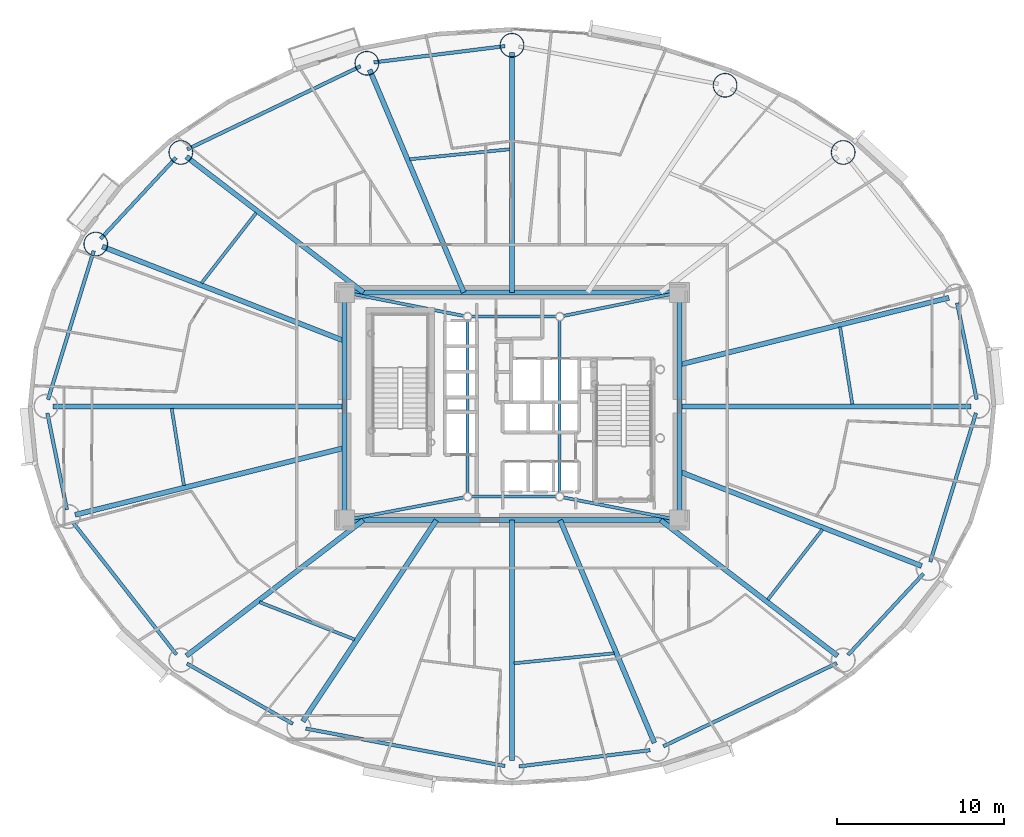
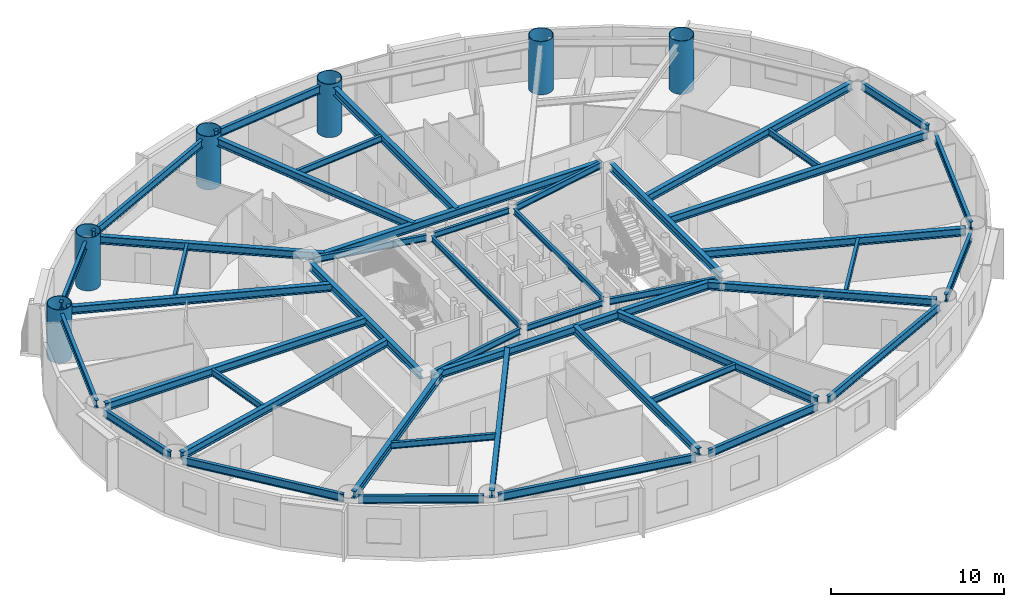
# One storey, part 3 of 19: 46 beams, 6 columns.
"""IFC4 building model written with IfcOpenShell, lengths in metres."""

from ifc_helpers import new_model, si_unit, direction, frame, origin, origin_2d, place, context, subcontext, project, spatial, hollow_circle, i_section, extrude, material, material_profile, profile_set, type_object, element, save


model = new_model("IFC4")

# Units and contexts
model_context = context("Model", 3, precision=1e-05, world=origin(), true_north=direction((0.0, 1.0)))
body_context = subcontext(model_context, "Body", "Model", "MODEL_VIEW")
ifc_project = project(units=[si_unit("LENGTHUNIT", "METRE"), si_unit("AREAUNIT", "SQUARE_METRE"), si_unit("VOLUMEUNIT", "CUBIC_METRE"), si_unit("PLANEANGLEUNIT", "RADIAN"), si_unit("MASSUNIT", "GRAM", prefix="KILO")], contexts=[model_context])

# Site, building, storey
site_placement = place(None, origin())
site = spatial("IfcSite", under=ifc_project, at=site_placement, CompositionType="ELEMENT")
building_placement = place(site_placement, origin())
building = spatial("IfcBuilding", under=site, at=building_placement, Name="Linh Dai School and Residence Tower", CompositionType="ELEMENT")
storey_placement = place(building_placement, frame((0.0, 0.0, 119.699951171875)))
storey = spatial("IfcBuildingStorey", under=building, at=storey_placement, Name="L28", CompositionType="ELEMENT", Elevation=119.699951171875)

# Columns
ifc_material = material(Name="Structural Steel S355JR", Category="steel")
ifc_material_profile_1 = material_profile(ifc_material, hollow_circle(Radius=0.72509765625, WallThickness=0.0419921875, at=origin_2d()), Name="CHS 1450x42")
ifc_profile_set_1 = profile_set([ifc_material_profile_1], Name="Structural Steel S355JR")
column_type = type_object("IfcColumnType", Name="COL-MC3", PredefinedType="COLUMN", material=ifc_profile_set_1)
for number, where, z_axis, x_axis, name in (
    (1, (55.772705078125, 42.155517578125, 0.0), (0.0, 0.0, 1.0), (1.0, 0.0, 0.0), "L28 Perimeter CFT Mega-Column MC03"),
    (2, (48.721923828125, 46.1650390625, 0.0), (0.0, 0.0, 1.0), (1.0, 0.0, 0.0), "L28 Perimeter CFT Mega-Column MC04"),
    (3, (36.0, 48.554931640625, 0.0), (0.0, 0.0, 1.0), (1.0, 0.0, 0.0), "L28 Perimeter CFT Mega-Column MC05"),
    (4, (27.33447265625, 47.480712890625, 0.0), (0.0, 0.0, 1.0), (1.0, 0.0, 0.0), "L28 Perimeter CFT Mega-Column MC06"),
    (5, (16.227294921875, 42.155517578125, 0.0), (0.0, 0.0, 1.0), (1.0, 0.0, 0.0), "L28 Perimeter CFT Mega-Column MC07"),
    (6, (11.15087890625, 36.6875, 0.0), (0.0, 0.0, 1.0), (1.0, 0.0, 0.0), "L28 Perimeter CFT Mega-Column MC08"),
):
    element("IfcColumn", number, at=place(storey_placement, frame(where, z_axis=z_axis, x_axis=x_axis)), inside=storey, type_object=column_type, Name=name, PredefinedType="COLUMN", context=body_context, shape_type="SweptSolid", body=[
        extrude(hollow_circle(Radius=0.72509765625, WallThickness=0.0419921875, at=origin_2d()), origin(), (0.0, 0.0, 1.0), 3.75),
    ])

# Beams
ifc_material_profile_2 = material_profile(ifc_material, i_section(OverallWidth=0.2099609375, OverallDepth=0.550048828125, WebThickness=0.010986328125, FlangeThickness=0.01708984375, FilletRadius=0.02392578125, at=origin_2d()), Name="IPE 550")
ifc_profile_set_2 = profile_set([ifc_material_profile_2], Name="Structural Steel S355JR")
beam_type_1 = type_object("IfcBeamType", Name="BM-RB55", PredefinedType="BEAM", material=ifc_profile_set_2)
beam_1_placement = place(storey_placement, frame((63.74169921875, 27.41162109375, 3.22509765625), z_axis=(-0.198441254313, 0.980112783605, 0.0), x_axis=(-0.980112783605, -0.198441254313, 0.0)))
element("IfcBeam", 7, at=beam_1_placement, inside=storey, type_object=beam_type_1, Name="L28 Perimeter Elliptical Ring Beam 01", PredefinedType="BEAM", context=body_context, shape_type="SweptSolid", body=[
    extrude(i_section(OverallWidth=0.2099609375, OverallDepth=0.550048828125, WebThickness=0.010986328125, FlangeThickness=0.01708984375, FilletRadius=0.02392578125, at=origin_2d()), origin(), (0.0, 0.0, 1.0), 5.874755859375),
])
beam_2_placement = place(storey_placement, frame((35.583251953125, 48.50341796875, 3.22509765625), z_axis=(-0.992399234854, -0.123059979933, 0.0), x_axis=(0.123059979933, -0.992399234854, 0.0)))
element("IfcBeam", 8, at=beam_2_placement, inside=storey, type_object=beam_type_1, Name="L28 Perimeter Elliptical Ring Beam 05", PredefinedType="BEAM", context=body_context, shape_type="SweptSolid", body=[
    extrude(i_section(OverallWidth=0.2099609375, OverallDepth=0.550048828125, WebThickness=0.010986328125, FlangeThickness=0.01708984375, FilletRadius=0.02392578125, at=origin_2d()), origin(), (0.0, 0.0, 1.0), 7.89208984375),
])
beam_3_placement = place(storey_placement, frame((26.955810546875, 47.299072265625, 3.22509765625), z_axis=(-0.901715153312, -0.432330640005, 0.0), x_axis=(0.432330640005, -0.901715153312, 0.0)))
element("IfcBeam", 9, at=beam_3_placement, inside=storey, type_object=beam_type_1, Name="L28 Perimeter Elliptical Ring Beam 06", PredefinedType="BEAM", context=body_context, shape_type="SweptSolid", body=[
    extrude(i_section(OverallWidth=0.2099609375, OverallDepth=0.550048828125, WebThickness=0.010986328125, FlangeThickness=0.01708984375, FilletRadius=0.02392578125, at=origin_2d()), origin(), (0.0, 0.0, 1.0), 11.477783203125),
])
beam_4_placement = place(storey_placement, frame((15.941650390625, 41.84765625, 3.22509765625), z_axis=(-0.680384623752, -0.732855213369, 0.0), x_axis=(0.732855213369, -0.680384623752, 0.0)))
element("IfcBeam", 10, at=beam_4_placement, inside=storey, type_object=beam_type_1, Name="L28 Perimeter Elliptical Ring Beam 07", PredefinedType="BEAM", context=body_context, shape_type="SweptSolid", body=[
    extrude(i_section(OverallWidth=0.2099609375, OverallDepth=0.550048828125, WebThickness=0.010986328125, FlangeThickness=0.01708984375, FilletRadius=0.02392578125, at=origin_2d()), origin(), (0.0, 0.0, 1.0), 6.62109375),
])
beam_5_placement = place(storey_placement, frame((11.027587890625, 36.2861328125, 3.22509765625), z_axis=(-0.29364097848, -0.95591577859, 0.0), x_axis=(0.95591577859, -0.29364097848, 0.0)))
element("IfcBeam", 11, at=beam_5_placement, inside=storey, type_object=beam_type_1, Name="L28 Perimeter Elliptical Ring Beam 08", PredefinedType="BEAM", context=body_context, shape_type="SweptSolid", body=[
    extrude(i_section(OverallWidth=0.2099609375, OverallDepth=0.550048828125, WebThickness=0.010986328125, FlangeThickness=0.01708984375, FilletRadius=0.02392578125, at=origin_2d()), origin(), (0.0, 0.0, 1.0), 9.29443359375),
])
beam_6_placement = place(storey_placement, frame((8.25830078125, 26.58837890625, 3.22509765625), z_axis=(0.198441254313, -0.980112783605, 0.0), x_axis=(0.980112783605, 0.198441254313, 0.0)))
element("IfcBeam", 12, at=beam_6_placement, inside=storey, type_object=beam_type_1, Name="L28 Perimeter Elliptical Ring Beam 09", PredefinedType="BEAM", context=body_context, shape_type="SweptSolid", body=[
    extrude(i_section(OverallWidth=0.2099609375, OverallDepth=0.550048828125, WebThickness=0.010986328125, FlangeThickness=0.01708984375, FilletRadius=0.02392578125, at=origin_2d()), origin(), (0.0, 0.0, 1.0), 5.874755859375),
])
beam_7_placement = place(storey_placement, frame((9.766357421875, 20.08837890625, 3.22509765625), z_axis=(0.616854830973, -0.787076945098, 0.0), x_axis=(0.787076945098, 0.616854830973, 0.0)))
element("IfcBeam", 13, at=beam_7_placement, inside=storey, type_object=beam_type_1, Name="L28 Perimeter Elliptical Ring Beam 10", PredefinedType="BEAM", context=body_context, shape_type="SweptSolid", body=[
    extrude(i_section(OverallWidth=0.2099609375, OverallDepth=0.550048828125, WebThickness=0.010986328125, FlangeThickness=0.01708984375, FilletRadius=0.02392578125, at=origin_2d()), origin(), (0.0, 0.0, 1.0), 10.053955078125),
])
beam_8_placement = place(storey_placement, frame((16.592529296875, 11.636962890625, 3.22509765625), z_axis=(0.86927031475, -0.494337050902, 0.0), x_axis=(0.494337050902, 0.86927031475, 0.0)))
element("IfcBeam", 14, at=beam_8_placement, inside=storey, type_object=beam_type_1, Name="L28 Perimeter Elliptical Ring Beam 11", PredefinedType="BEAM", context=body_context, shape_type="SweptSolid", body=[
    extrude(i_section(OverallWidth=0.2099609375, OverallDepth=0.550048828125, WebThickness=0.010986328125, FlangeThickness=0.01708984375, FilletRadius=0.02392578125, at=origin_2d()), origin(), (0.0, 0.0, 1.0), 7.270751953125),
])
beam_9_placement = place(storey_placement, frame((23.69091796875, 7.75732421875, 3.22509765625), z_axis=(0.982807507457, -0.184633158685, 0.0), x_axis=(0.184633158685, 0.982807507457, 0.0)))
element("IfcBeam", 15, at=beam_9_placement, inside=storey, type_object=beam_type_1, Name="L28 Perimeter Elliptical Ring Beam 12", PredefinedType="BEAM", context=body_context, shape_type="SweptSolid", body=[
    extrude(i_section(OverallWidth=0.2099609375, OverallDepth=0.550048828125, WebThickness=0.010986328125, FlangeThickness=0.01708984375, FilletRadius=0.02392578125, at=origin_2d()), origin(), (0.0, 0.0, 1.0), 12.104248046875),
])
beam_10_placement = place(storey_placement, frame((36.416748046875, 5.49658203125, 3.22509765625), z_axis=(0.992399234854, 0.123059979933, 0.0), x_axis=(-0.123059979933, 0.992399234854, 0.0)))
element("IfcBeam", 16, at=beam_10_placement, inside=storey, type_object=beam_type_1, Name="L28 Perimeter Elliptical Ring Beam 13", PredefinedType="BEAM", context=body_context, shape_type="SweptSolid", body=[
    extrude(i_section(OverallWidth=0.2099609375, OverallDepth=0.550048828125, WebThickness=0.010986328125, FlangeThickness=0.01708984375, FilletRadius=0.02392578125, at=origin_2d()), origin(), (0.0, 0.0, 1.0), 7.89208984375),
])
beam_11_placement = place(storey_placement, frame((45.044189453125, 6.700927734375, 3.22509765625), z_axis=(0.901715153312, 0.432330640005, 0.0), x_axis=(-0.432330640005, 0.901715153312, 0.0)))
element("IfcBeam", 17, at=beam_11_placement, inside=storey, type_object=beam_type_1, Name="L28 Perimeter Elliptical Ring Beam 14", PredefinedType="BEAM", context=body_context, shape_type="SweptSolid", body=[
    extrude(i_section(OverallWidth=0.2099609375, OverallDepth=0.550048828125, WebThickness=0.010986328125, FlangeThickness=0.01708984375, FilletRadius=0.02392578125, at=origin_2d()), origin(), (0.0, 0.0, 1.0), 11.477783203125),
])
beam_12_placement = place(storey_placement, frame((56.058349609375, 12.15234375, 3.22509765625), z_axis=(0.680384623752, 0.732855213369, 0.0), x_axis=(-0.732855213369, 0.680384623752, 0.0)))
element("IfcBeam", 18, at=beam_12_placement, inside=storey, type_object=beam_type_1, Name="L28 Perimeter Elliptical Ring Beam 15", PredefinedType="BEAM", context=body_context, shape_type="SweptSolid", body=[
    extrude(i_section(OverallWidth=0.2099609375, OverallDepth=0.550048828125, WebThickness=0.010986328125, FlangeThickness=0.01708984375, FilletRadius=0.02392578125, at=origin_2d()), origin(), (0.0, 0.0, 1.0), 6.62109375),
])
beam_13_placement = place(storey_placement, frame((60.972412109375, 17.7138671875, 3.22509765625), z_axis=(0.29364097848, 0.95591577859, 0.0), x_axis=(-0.95591577859, 0.29364097848, 0.0)))
element("IfcBeam", 19, at=beam_13_placement, inside=storey, type_object=beam_type_1, Name="L28 Perimeter Elliptical Ring Beam 16", PredefinedType="BEAM", context=body_context, shape_type="SweptSolid", body=[
    extrude(i_section(OverallWidth=0.2099609375, OverallDepth=0.550048828125, WebThickness=0.010986328125, FlangeThickness=0.01708984375, FilletRadius=0.02392578125, at=origin_2d()), origin(), (0.0, 0.0, 1.0), 9.29443359375),
])
ifc_material_profile_3 = material_profile(ifc_material, i_section(OverallWidth=0.300048828125, OverallDepth=0.550048828125, WebThickness=0.014892578125, FlangeThickness=0.029052734375, FilletRadius=0.027099609375, at=origin_2d()), Name="HEB 550")
ifc_profile_set_3 = profile_set([ifc_material_profile_3], Name="Structural Steel S355JR")
beam_type_2 = type_object("IfcBeamType", Name="BM-RG55", PredefinedType="BEAM", material=ifc_profile_set_3)
beam_14_placement = place(storey_placement, frame((26.419921875, 20.199951171875, 3.22509765625), z_axis=(1.0, 0.0, 0.0), x_axis=(0.0, 1.0, 0.0)))
element("IfcBeam", 20, at=beam_14_placement, inside=storey, type_object=beam_type_2, Name="L28 Core Perimeter Coupling Girder 1", PredefinedType="BEAM", context=body_context, shape_type="SweptSolid", body=[
    extrude(i_section(OverallWidth=0.300048828125, OverallDepth=0.550048828125, WebThickness=0.014892578125, FlangeThickness=0.029052734375, FilletRadius=0.027099609375, at=origin_2d()), origin(), (0.0, 0.0, 1.0), 19.16015625),
])
beam_15_placement = place(storey_placement, frame((46.0, 20.6201171875, 3.22509765625), z_axis=(0.0, 1.0, 0.0), x_axis=(-1.0, 0.0, 0.0)))
element("IfcBeam", 21, at=beam_15_placement, inside=storey, type_object=beam_type_2, Name="L28 Core Perimeter Coupling Girder 2", PredefinedType="BEAM", context=body_context, shape_type="SweptSolid", body=[
    extrude(i_section(OverallWidth=0.300048828125, OverallDepth=0.550048828125, WebThickness=0.014892578125, FlangeThickness=0.029052734375, FilletRadius=0.027099609375, at=origin_2d()), origin(), (0.0, 0.0, 1.0), 12.759765625),
])
beam_16_placement = place(storey_placement, frame((45.580078125, 33.800048828125, 3.22509765625), z_axis=(-1.0, 0.0, 0.0), x_axis=(0.0, -1.0, 0.0)))
element("IfcBeam", 22, at=beam_16_placement, inside=storey, type_object=beam_type_2, Name="L28 Core Perimeter Coupling Girder 3", PredefinedType="BEAM", context=body_context, shape_type="SweptSolid", body=[
    extrude(i_section(OverallWidth=0.300048828125, OverallDepth=0.550048828125, WebThickness=0.014892578125, FlangeThickness=0.029052734375, FilletRadius=0.027099609375, at=origin_2d()), origin(), (0.0, 0.0, 1.0), 19.16015625),
])
beam_17_placement = place(storey_placement, frame((26.0, 33.3798828125, 3.22509765625), z_axis=(0.0, -1.0, 0.0), x_axis=(1.0, 0.0, 0.0)))
element("IfcBeam", 23, at=beam_17_placement, inside=storey, type_object=beam_type_2, Name="L28 Core Perimeter Coupling Girder 4", PredefinedType="BEAM", context=body_context, shape_type="SweptSolid", body=[
    extrude(i_section(OverallWidth=0.300048828125, OverallDepth=0.550048828125, WebThickness=0.014892578125, FlangeThickness=0.029052734375, FilletRadius=0.027099609375, at=origin_2d()), origin(), (0.0, 0.0, 1.0), 12.759765625),
])
beam_18_placement = place(storey_placement, frame((46.0, 27.0, 3.22509765625), z_axis=(1.0, 0.0, 0.0), x_axis=(0.0, 1.0, 0.0)))
element("IfcBeam", 24, at=beam_18_placement, inside=storey, type_object=beam_type_2, Name="L28 Primary Radial Floor Girder 01", PredefinedType="BEAM", context=body_context, shape_type="SweptSolid", body=[
    extrude(i_section(OverallWidth=0.300048828125, OverallDepth=0.550048828125, WebThickness=0.014892578125, FlangeThickness=0.029052734375, FilletRadius=0.027099609375, at=origin_2d()), origin(), (0.0, 0.0, 1.0), 17.405029296875),
])
beam_19_placement = place(storey_placement, frame((46.0, 29.484130859375, 3.22509765625), z_axis=(0.970505338376, 0.241079630379, 0.0), x_axis=(-0.241079630379, 0.970505338376, 0.0)))
element("IfcBeam", 25, at=beam_19_placement, inside=storey, type_object=beam_type_2, Name="L28 Primary Radial Floor Girder 02", PredefinedType="BEAM", context=body_context, shape_type="SweptSolid", body=[
    extrude(i_section(OverallWidth=0.300048828125, OverallDepth=0.550048828125, WebThickness=0.014892578125, FlangeThickness=0.029052734375, FilletRadius=0.027099609375, at=origin_2d()), origin(), (0.0, 0.0, 1.0), 16.57373046875),
])
beam_20_placement = place(storey_placement, frame((36.0, 33.800048828125, 3.22509765625), z_axis=(0.0, 1.0, 0.0), x_axis=(-1.0, 0.0, 0.0)))
element("IfcBeam", 26, at=beam_20_placement, inside=storey, type_object=beam_type_2, Name="L28 Primary Radial Floor Girder 05", PredefinedType="BEAM", context=body_context, shape_type="SweptSolid", body=[
    extrude(i_section(OverallWidth=0.300048828125, OverallDepth=0.550048828125, WebThickness=0.014892578125, FlangeThickness=0.029052734375, FilletRadius=0.027099609375, at=origin_2d()), origin(), (0.0, 0.0, 1.0), 14.3349609375),
])
beam_21_placement = place(storey_placement, frame((33.122802734375, 33.800048828125, 3.22509765625), z_axis=(-0.389669233739, 0.920954878524, 0.0), x_axis=(-0.920954878524, -0.389669233739, 0.0)))
element("IfcBeam", 27, at=beam_21_placement, inside=storey, type_object=beam_type_2, Name="L28 Primary Radial Floor Girder 06", PredefinedType="BEAM", context=body_context, shape_type="SweptSolid", body=[
    extrude(i_section(OverallWidth=0.300048828125, OverallDepth=0.550048828125, WebThickness=0.014892578125, FlangeThickness=0.029052734375, FilletRadius=0.027099609375, at=origin_2d()), origin(), (0.0, 0.0, 1.0), 14.434814453125),
])
beam_22_placement = place(storey_placement, frame((27.12841796875, 33.800048828125, 3.22509765625), z_axis=(-0.793678660795, 0.608337228352, 0.0), x_axis=(-0.608337228352, -0.793678660795, 0.0)))
element("IfcBeam", 28, at=beam_22_placement, inside=storey, type_object=beam_type_2, Name="L28 Primary Radial Floor Girder 07", PredefinedType="BEAM", context=body_context, shape_type="SweptSolid", body=[
    extrude(i_section(OverallWidth=0.300048828125, OverallDepth=0.550048828125, WebThickness=0.014892578125, FlangeThickness=0.029052734375, FilletRadius=0.027099609375, at=origin_2d()), origin(), (0.0, 0.0, 1.0), 13.314697265625),
])
beam_23_placement = place(storey_placement, frame((26.0, 30.8984375, 3.22509765625), z_axis=(-0.931699338449, 0.363230426498, 0.0), x_axis=(-0.363230426498, -0.931699338449, 0.0)))
element("IfcBeam", 29, at=beam_23_placement, inside=storey, type_object=beam_type_2, Name="L28 Primary Radial Floor Girder 08", PredefinedType="BEAM", context=body_context, shape_type="SweptSolid", body=[
    extrude(i_section(OverallWidth=0.300048828125, OverallDepth=0.550048828125, WebThickness=0.014892578125, FlangeThickness=0.029052734375, FilletRadius=0.027099609375, at=origin_2d()), origin(), (0.0, 0.0, 1.0), 15.517578125),
])
beam_24_placement = place(storey_placement, frame((26.0, 27.0, 3.22509765625), z_axis=(-1.0, 0.0, 0.0), x_axis=(0.0, -1.0, 0.0)))
element("IfcBeam", 30, at=beam_24_placement, inside=storey, type_object=beam_type_2, Name="L28 Primary Radial Floor Girder 09", PredefinedType="BEAM", context=body_context, shape_type="SweptSolid", body=[
    extrude(i_section(OverallWidth=0.300048828125, OverallDepth=0.550048828125, WebThickness=0.014892578125, FlangeThickness=0.029052734375, FilletRadius=0.027099609375, at=origin_2d()), origin(), (0.0, 0.0, 1.0), 17.405029296875),
])
beam_25_placement = place(storey_placement, frame((26.0, 24.515869140625, 3.22509765625), z_axis=(-0.970505338376, -0.241079630379, 0.0), x_axis=(0.241079630379, -0.970505338376, 0.0)))
element("IfcBeam", 31, at=beam_25_placement, inside=storey, type_object=beam_type_2, Name="L28 Primary Radial Floor Girder 10", PredefinedType="BEAM", context=body_context, shape_type="SweptSolid", body=[
    extrude(i_section(OverallWidth=0.300048828125, OverallDepth=0.550048828125, WebThickness=0.014892578125, FlangeThickness=0.029052734375, FilletRadius=0.027099609375, at=origin_2d()), origin(), (0.0, 0.0, 1.0), 16.57373046875),
])
beam_26_placement = place(storey_placement, frame((27.12841796875, 20.199951171875, 3.22509765625), z_axis=(-0.793678660795, -0.608337228352, 0.0), x_axis=(0.608337228352, -0.793678660795, 0.0)))
element("IfcBeam", 32, at=beam_26_placement, inside=storey, type_object=beam_type_2, Name="L28 Primary Radial Floor Girder 11", PredefinedType="BEAM", context=body_context, shape_type="SweptSolid", body=[
    extrude(i_section(OverallWidth=0.300048828125, OverallDepth=0.550048828125, WebThickness=0.014892578125, FlangeThickness=0.029052734375, FilletRadius=0.027099609375, at=origin_2d()), origin(), (0.0, 0.0, 1.0), 13.314697265625),
])
beam_27_placement = place(storey_placement, frame((31.486083984375, 20.199951171875, 3.22509765625), z_axis=(-0.553054392401, -0.833145148846, 0.0), x_axis=(0.833145148846, -0.553054392401, 0.0)))
element("IfcBeam", 33, at=beam_27_placement, inside=storey, type_object=beam_type_2, Name="L28 Primary Radial Floor Girder 12", PredefinedType="BEAM", context=body_context, shape_type="SweptSolid", body=[
    extrude(i_section(OverallWidth=0.300048828125, OverallDepth=0.550048828125, WebThickness=0.014892578125, FlangeThickness=0.029052734375, FilletRadius=0.027099609375, at=origin_2d()), origin(), (0.0, 0.0, 1.0), 14.42138671875),
])
beam_28_placement = place(storey_placement, frame((36.0, 20.199951171875, 3.22509765625), z_axis=(0.0, -1.0, 0.0), x_axis=(1.0, 0.0, 0.0)))
element("IfcBeam", 34, at=beam_28_placement, inside=storey, type_object=beam_type_2, Name="L28 Primary Radial Floor Girder 13", PredefinedType="BEAM", context=body_context, shape_type="SweptSolid", body=[
    extrude(i_section(OverallWidth=0.300048828125, OverallDepth=0.550048828125, WebThickness=0.014892578125, FlangeThickness=0.029052734375, FilletRadius=0.027099609375, at=origin_2d()), origin(), (0.0, 0.0, 1.0), 14.3349609375),
])
beam_29_placement = place(storey_placement, frame((38.877197265625, 20.199951171875, 3.22509765625), z_axis=(0.389669233739, -0.920954878524, 0.0), x_axis=(0.920954878524, 0.389669233739, 0.0)))
element("IfcBeam", 35, at=beam_29_placement, inside=storey, type_object=beam_type_2, Name="L28 Primary Radial Floor Girder 14", PredefinedType="BEAM", context=body_context, shape_type="SweptSolid", body=[
    extrude(i_section(OverallWidth=0.300048828125, OverallDepth=0.550048828125, WebThickness=0.014892578125, FlangeThickness=0.029052734375, FilletRadius=0.027099609375, at=origin_2d()), origin(), (0.0, 0.0, 1.0), 14.434814453125),
])
beam_30_placement = place(storey_placement, frame((44.87158203125, 20.199951171875, 3.22509765625), z_axis=(0.793678660795, -0.608337228352, 0.0), x_axis=(0.608337228352, 0.793678660795, 0.0)))
element("IfcBeam", 36, at=beam_30_placement, inside=storey, type_object=beam_type_2, Name="L28 Primary Radial Floor Girder 15", PredefinedType="BEAM", context=body_context, shape_type="SweptSolid", body=[
    extrude(i_section(OverallWidth=0.300048828125, OverallDepth=0.550048828125, WebThickness=0.014892578125, FlangeThickness=0.029052734375, FilletRadius=0.027099609375, at=origin_2d()), origin(), (0.0, 0.0, 1.0), 13.314697265625),
])
beam_31_placement = place(storey_placement, frame((46.0, 23.1015625, 3.22509765625), z_axis=(0.931699338449, -0.363230426498, 0.0), x_axis=(0.363230426498, 0.931699338449, 0.0)))
element("IfcBeam", 37, at=beam_31_placement, inside=storey, type_object=beam_type_2, Name="L28 Primary Radial Floor Girder 16", PredefinedType="BEAM", context=body_context, shape_type="SweptSolid", body=[
    extrude(i_section(OverallWidth=0.300048828125, OverallDepth=0.550048828125, WebThickness=0.014892578125, FlangeThickness=0.029052734375, FilletRadius=0.027099609375, at=origin_2d()), origin(), (0.0, 0.0, 1.0), 15.517578125),
])
ifc_material_profile_4 = material_profile(ifc_material, i_section(OverallWidth=0.179931640625, OverallDepth=0.39990234375, WebThickness=0.008544921875, FlangeThickness=0.013427734375, FilletRadius=0.02099609375, at=origin_2d()), Name="IPE 400")
ifc_profile_set_4 = profile_set([ifc_material_profile_4], Name="Structural Steel S355JR")
beam_type_3 = type_object("IfcBeamType", Name="BM-SB40", PredefinedType="BEAM", material=ifc_profile_set_4)
beam_32_placement = place(storey_placement, frame((33.573974609375, 21.60009765625, 3.300048828125), z_axis=(1.0, 0.0, 0.0), x_axis=(0.0, 1.0, 0.0)))
element("IfcBeam", 38, at=beam_32_placement, inside=storey, type_object=beam_type_3, Name="L28 Core Mast Pier Tie Beam 1", PredefinedType="BEAM", context=body_context, shape_type="SweptSolid", body=[
    extrude(i_section(OverallWidth=0.179931640625, OverallDepth=0.39990234375, WebThickness=0.008544921875, FlangeThickness=0.013427734375, FilletRadius=0.02099609375, at=origin_2d()), origin(), (0.0, 0.0, 1.0), 5.052001953125),
])
beam_33_placement = place(storey_placement, frame((38.85009765625, 21.823974609375, 3.300048828125), z_axis=(0.0, 1.0, 0.0), x_axis=(-1.0, 0.0, 0.0)))
element("IfcBeam", 39, at=beam_33_placement, inside=storey, type_object=beam_type_3, Name="L28 Core Mast Pier Tie Beam 2", PredefinedType="BEAM", context=body_context, shape_type="SweptSolid", body=[
    extrude(i_section(OverallWidth=0.179931640625, OverallDepth=0.39990234375, WebThickness=0.008544921875, FlangeThickness=0.013427734375, FilletRadius=0.02099609375, at=origin_2d()), origin(), (0.0, 0.0, 1.0), 10.302001953125),
])
beam_34_placement = place(storey_placement, frame((38.6259765625, 32.35009765625, 3.300048828125), z_axis=(-1.0, 0.0, 0.0), x_axis=(0.0, -1.0, 0.0)))
element("IfcBeam", 40, at=beam_34_placement, inside=storey, type_object=beam_type_3, Name="L28 Core Mast Pier Tie Beam 3", PredefinedType="BEAM", context=body_context, shape_type="SweptSolid", body=[
    extrude(i_section(OverallWidth=0.179931640625, OverallDepth=0.39990234375, WebThickness=0.008544921875, FlangeThickness=0.013427734375, FilletRadius=0.02099609375, at=origin_2d()), origin(), (0.0, 0.0, 1.0), 5.052001953125),
])
beam_35_placement = place(storey_placement, frame((33.35009765625, 32.1259765625, 3.300048828125), z_axis=(0.0, -1.0, 0.0), x_axis=(1.0, 0.0, 0.0)))
element("IfcBeam", 41, at=beam_35_placement, inside=storey, type_object=beam_type_3, Name="L28 Core Mast Pier Tie Beam 4", PredefinedType="BEAM", context=body_context, shape_type="SweptSolid", body=[
    extrude(i_section(OverallWidth=0.179931640625, OverallDepth=0.39990234375, WebThickness=0.008544921875, FlangeThickness=0.013427734375, FilletRadius=0.02099609375, at=origin_2d()), origin(), (0.0, 0.0, 1.0), 10.302001953125),
])
ifc_material_profile_5 = material_profile(ifc_material, i_section(OverallWidth=0.18994140625, OverallDepth=0.449951171875, WebThickness=0.009521484375, FlangeThickness=0.0146484375, FilletRadius=0.02099609375, at=origin_2d()), Name="IPE 450")
ifc_profile_set_5 = profile_set([ifc_material_profile_5], Name="Structural Steel S355JR")
beam_type_4 = type_object("IfcBeamType", Name="BM-SB45", PredefinedType="BEAM", material=ifc_profile_set_5)
beam_36_placement = place(storey_placement, frame((26.41259765625, 20.278564453125, 3.275146484375), z_axis=(0.982337003886, 0.187120311019, 0.0), x_axis=(-0.187120311019, 0.982337003886, 0.0)))
element("IfcBeam", 42, at=beam_36_placement, inside=storey, type_object=beam_type_4, Name="L28 Core Corner-to-Mast Pier Beam 1", PredefinedType="BEAM", context=body_context, shape_type="SweptSolid", body=[
    extrude(i_section(OverallWidth=0.18994140625, OverallDepth=0.449951171875, WebThickness=0.009521484375, FlangeThickness=0.0146484375, FilletRadius=0.02099609375, at=origin_2d()), origin(), (0.0, 0.0, 1.0), 6.838134765625),
])
beam_37_placement = place(storey_placement, frame((45.587890625, 20.28076171875, 3.275146484375), z_axis=(-0.981368554414, 0.192134745446, 0.0), x_axis=(-0.192134745446, -0.981368554414, 0.0)))
element("IfcBeam", 43, at=beam_37_placement, inside=storey, type_object=beam_type_4, Name="L28 Core Corner-to-Mast Pier Beam 2", PredefinedType="BEAM", context=body_context, shape_type="SweptSolid", body=[
    extrude(i_section(OverallWidth=0.18994140625, OverallDepth=0.449951171875, WebThickness=0.009521484375, FlangeThickness=0.0146484375, FilletRadius=0.02099609375, at=origin_2d()), origin(), (0.0, 0.0, 1.0), 6.641845703125),
])
beam_38_placement = place(storey_placement, frame((45.58837890625, 33.716552734375, 3.275146484375), z_axis=(-0.980049140776, -0.19875533116, 0.0), x_axis=(0.19875533116, -0.980049140776, 0.0)))
element("IfcBeam", 44, at=beam_38_placement, inside=storey, type_object=beam_type_4, Name="L28 Core Corner-to-Mast Pier Beam 3", PredefinedType="BEAM", context=body_context, shape_type="SweptSolid", body=[
    extrude(i_section(OverallWidth=0.18994140625, OverallDepth=0.449951171875, WebThickness=0.009521484375, FlangeThickness=0.0146484375, FilletRadius=0.02099609375, at=origin_2d()), origin(), (0.0, 0.0, 1.0), 6.651611328125),
])
beam_39_placement = place(storey_placement, frame((26.412109375, 33.71875, 3.275146484375), z_axis=(0.981087482999, -0.193564848828, 0.0), x_axis=(0.193564848828, 0.981087482999, 0.0)))
element("IfcBeam", 45, at=beam_39_placement, inside=storey, type_object=beam_type_4, Name="L28 Core Corner-to-Mast Pier Beam 4", PredefinedType="BEAM", context=body_context, shape_type="SweptSolid", body=[
    extrude(i_section(OverallWidth=0.18994140625, OverallDepth=0.449951171875, WebThickness=0.009521484375, FlangeThickness=0.0146484375, FilletRadius=0.02099609375, at=origin_2d()), origin(), (0.0, 0.0, 1.0), 6.847412109375),
])
beam_40_placement = place(storey_placement, frame((56.318115234375, 27.12841796875, 3.275146484375), z_axis=(-0.15702217033, 0.987595077967, 0.0), x_axis=(-0.987595077967, -0.15702217033, 0.0)))
element("IfcBeam", 46, at=beam_40_placement, inside=storey, type_object=beam_type_4, Name="L28 Secondary Circumferential Floor Beam 01", PredefinedType="BEAM", context=body_context, shape_type="SweptSolid", body=[
    extrude(i_section(OverallWidth=0.18994140625, OverallDepth=0.449951171875, WebThickness=0.009521484375, FlangeThickness=0.0146484375, FilletRadius=0.02099609375, at=origin_2d()), origin(), (0.0, 0.0, 1.0), 4.661376953125),
])
beam_41_placement = place(storey_placement, frame((35.87060546875, 42.344970703125, 3.275146484375), z_axis=(-0.995039604987, -0.099479568287, 0.0), x_axis=(0.099479568287, -0.995039604987, 0.0)))
element("IfcBeam", 47, at=beam_41_placement, inside=storey, type_object=beam_type_4, Name="L28 Secondary Circumferential Floor Beam 03", PredefinedType="BEAM", context=body_context, shape_type="SweptSolid", body=[
    extrude(i_section(OverallWidth=0.18994140625, OverallDepth=0.449951171875, WebThickness=0.009521484375, FlangeThickness=0.0146484375, FilletRadius=0.02099609375, at=origin_2d()), origin(), (0.0, 0.0, 1.0), 6.00537109375),
])
beam_42_placement = place(storey_placement, frame((20.725830078125, 38.543701171875, 3.275146484375), z_axis=(-0.614322948635, -0.789054696951, 0.0), x_axis=(0.789054696951, -0.614322948635, 0.0)))
element("IfcBeam", 48, at=beam_42_placement, inside=storey, type_object=beam_type_4, Name="L28 Secondary Circumferential Floor Beam 04", PredefinedType="BEAM", context=body_context, shape_type="SweptSolid", body=[
    extrude(i_section(OverallWidth=0.18994140625, OverallDepth=0.449951171875, WebThickness=0.009521484375, FlangeThickness=0.0146484375, FilletRadius=0.02099609375, at=origin_2d()), origin(), (0.0, 0.0, 1.0), 5.303955078125),
])
beam_43_placement = place(storey_placement, frame((15.681884765625, 26.87158203125, 3.275146484375), z_axis=(0.15702217033, -0.987595077967, 0.0), x_axis=(0.987595077967, 0.15702217033, 0.0)))
element("IfcBeam", 49, at=beam_43_placement, inside=storey, type_object=beam_type_4, Name="L28 Secondary Circumferential Floor Beam 05", PredefinedType="BEAM", context=body_context, shape_type="SweptSolid", body=[
    extrude(i_section(OverallWidth=0.18994140625, OverallDepth=0.449951171875, WebThickness=0.009521484375, FlangeThickness=0.0146484375, FilletRadius=0.02099609375, at=origin_2d()), origin(), (0.0, 0.0, 1.0), 4.661376953125),
])
beam_44_placement = place(storey_placement, frame((20.9267578125, 15.306396484375, 3.275146484375), z_axis=(0.930755385045, -0.365642466365, 0.0), x_axis=(0.365642466365, 0.930755385045, 0.0)))
element("IfcBeam", 50, at=beam_44_placement, inside=storey, type_object=beam_type_4, Name="L28 Secondary Circumferential Floor Beam 06", PredefinedType="BEAM", context=body_context, shape_type="SweptSolid", body=[
    extrude(i_section(OverallWidth=0.18994140625, OverallDepth=0.449951171875, WebThickness=0.009521484375, FlangeThickness=0.0146484375, FilletRadius=0.02099609375, at=origin_2d()), origin(), (0.0, 0.0, 1.0), 6.10009765625),
])
beam_45_placement = place(storey_placement, frame((36.12939453125, 11.655029296875, 3.275146484375), z_axis=(0.995039604987, 0.099479568287, 0.0), x_axis=(-0.099479568287, 0.995039604987, 0.0)))
element("IfcBeam", 51, at=beam_45_placement, inside=storey, type_object=beam_type_4, Name="L28 Secondary Circumferential Floor Beam 07", PredefinedType="BEAM", context=body_context, shape_type="SweptSolid", body=[
    extrude(i_section(OverallWidth=0.18994140625, OverallDepth=0.449951171875, WebThickness=0.009521484375, FlangeThickness=0.0146484375, FilletRadius=0.02099609375, at=origin_2d()), origin(), (0.0, 0.0, 1.0), 6.00537109375),
])
beam_46_placement = place(storey_placement, frame((51.274169921875, 15.456298828125, 3.275146484375), z_axis=(0.614322948635, 0.789054696951, 0.0), x_axis=(-0.789054696951, 0.614322948635, 0.0)))
element("IfcBeam", 52, at=beam_46_placement, inside=storey, type_object=beam_type_4, Name="L28 Secondary Circumferential Floor Beam 08", PredefinedType="BEAM", context=body_context, shape_type="SweptSolid", body=[
    extrude(i_section(OverallWidth=0.18994140625, OverallDepth=0.449951171875, WebThickness=0.009521484375, FlangeThickness=0.0146484375, FilletRadius=0.02099609375, at=origin_2d()), origin(), (0.0, 0.0, 1.0), 5.303955078125),
])

save(model, "model.ifc")
